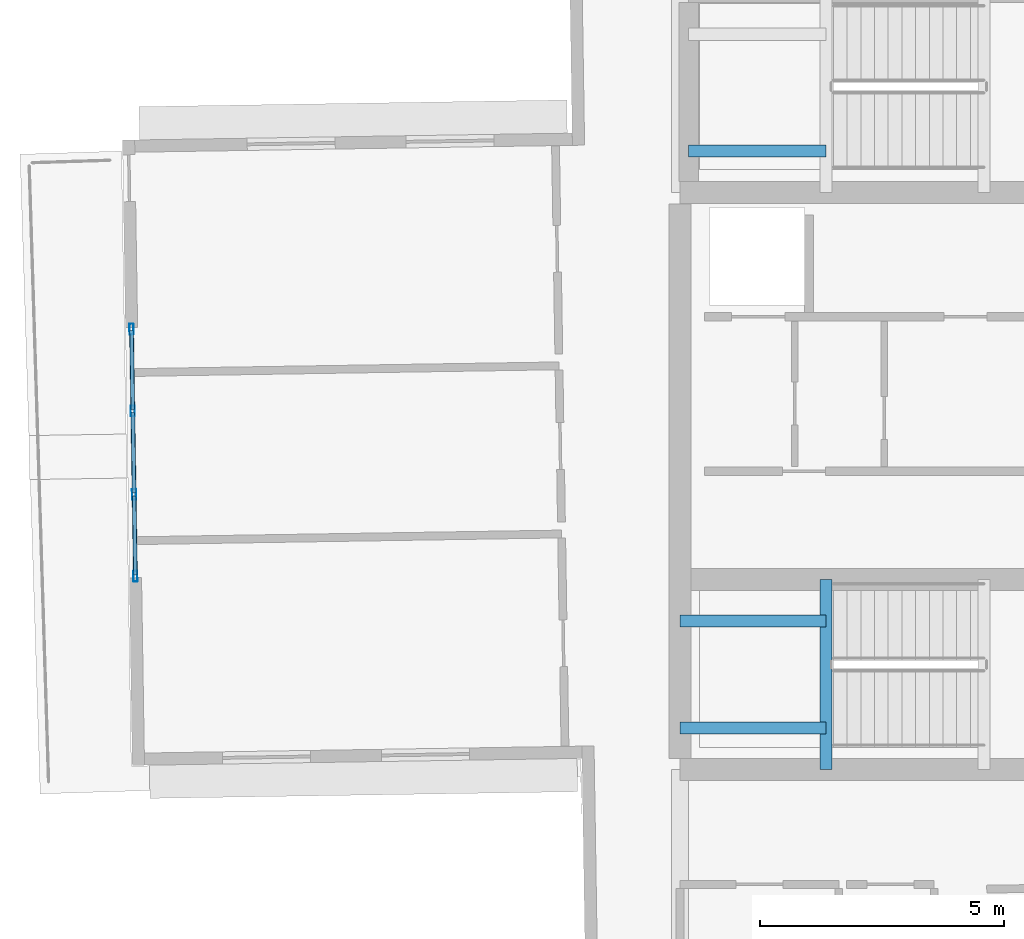
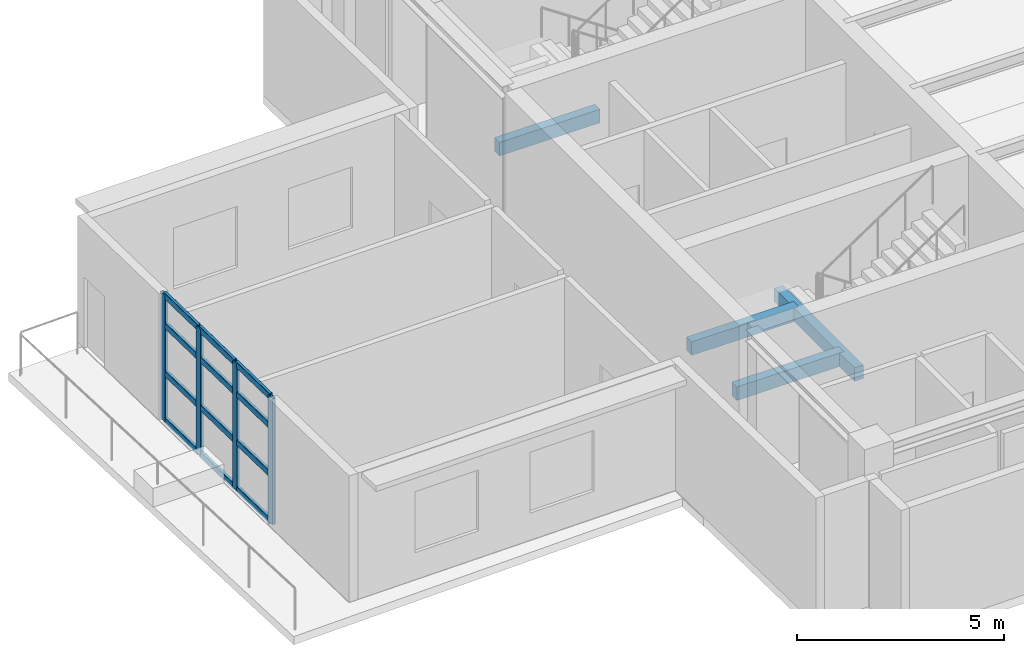
# One storey, part 4 of 18: 16 members, 4 beams, 1 element without a shape of its own.
"""IFC4 building model written with IfcOpenShell, lengths in metres."""

from ifc_helpers import new_model, si_unit, direction, frame, origin, origin_2d, place, context, subcontext, project, spatial, rectangle, hollow_rectangle, extrude, material, layer, layer_set, material_profile, profile_set, type_object, element, aggregate, save


model = new_model("IFC4")

# Units and contexts
model_context = context("Model", 3, precision=1e-05, world=origin(), true_north=direction((0.0, 1.0)))
body_context = subcontext(model_context, "Body", "Model", "MODEL_VIEW")
ifc_project = project(units=[si_unit("LENGTHUNIT", "METRE"), si_unit("AREAUNIT", "SQUARE_METRE"), si_unit("VOLUMEUNIT", "CUBIC_METRE"), si_unit("PLANEANGLEUNIT", "RADIAN"), si_unit("MASSUNIT", "GRAM", prefix="KILO")], contexts=[model_context])

# Site, building, storey
site_placement = place(None, origin())
site = spatial("IfcSite", under=ifc_project, at=site_placement, CompositionType="ELEMENT")
building_placement = place(site_placement, origin())
building = spatial("IfcBuilding", under=site, at=building_placement, Name="Qingluan Cross Belvedere", CompositionType="ELEMENT")
storey_placement = place(building_placement, frame((0.0, 0.0, 303.89990234375)))
storey = spatial("IfcBuildingStorey", under=building, at=storey_placement, Name="L75", CompositionType="ELEMENT", Elevation=303.89990234375)

# Curtain wall, members
ifc_material_1 = material(Name="Thermally broken aluminium and Low-E glass", Category="aluminium")
ifc_layer = layer(ifc_material_1, 0.199951171875, Name="ObservationCW_SkyRestaurant")
ifc_layer_set = layer_set([ifc_layer], Name="Thermally broken aluminium and Low-E glass")
curtain_wall_type = type_object("IfcCurtainWallType", Name="ObservationCW_SkyRestaurant", PredefinedType="USERDEFINED", material=ifc_layer_set)
curtain_wall_placement = place(storey_placement, origin())
curtain_wall = element("IfcCurtainWall", 1, at=curtain_wall_placement, inside=storey, type_object=curtain_wall_type, Name="ObservationCW_SkyRestaurant run env:cw:L75:W", ObjectType="OBSERVATION GLAZING WALL", PredefinedType="USERDEFINED")
ifc_material_2 = material(Name="Aluminium alloy 6063-T6", Category="aluminium")
ifc_material_profile_1 = material_profile(ifc_material_2, hollow_rectangle(XDim=0.0849609375, YDim=0.219970703125, WallThickness=0.0048828125, InnerFilletRadius=0.0048828125, OuterFilletRadius=0.010009765625, at=origin_2d()), Name="CWM220x85x5")
ifc_profile_set_1 = profile_set([ifc_material_profile_1], Name="Aluminium alloy 6063-T6")
member_type_1 = type_object("IfcMemberType", Name="CWMullion_220", PredefinedType="MULLION", material=ifc_profile_set_1)
member_1_placement = place(storey_placement, frame((-23.61669921875, 2.1572265625, 0.0), z_axis=(0.0, 0.0, 1.0), x_axis=(0.999876813918, 0.015695763417, 0.0)))
member_1 = element("IfcMember", 2, at=member_1_placement, type_object=member_type_1, Name="CW-C2 mullion 1", PredefinedType="MULLION", context=body_context, shape_type="SweptSolid", body=[
    extrude(hollow_rectangle(XDim=0.0849609375, YDim=0.219970703125, WallThickness=0.0048828125, InnerFilletRadius=0.0048828125, OuterFilletRadius=0.010009765625, at=origin_2d()), origin(), (0.0, 0.0, 1.0), 3.72998046875),
])
member_2_placement = place(storey_placement, frame((-23.59033203125, 0.482177734375, 0.0), z_axis=(0.0, 0.0, 1.0), x_axis=(0.999876813918, 0.015695763417, 0.0)))
member_2 = element("IfcMember", 3, at=member_2_placement, type_object=member_type_1, Name="CW-C2 mullion 2", PredefinedType="MULLION", context=body_context, shape_type="SweptSolid", body=[
    extrude(hollow_rectangle(XDim=0.0849609375, YDim=0.219970703125, WallThickness=0.0048828125, InnerFilletRadius=0.0048828125, OuterFilletRadius=0.010009765625, at=origin_2d()), origin(), (0.0, 0.0, 1.0), 3.72998046875),
])
member_3_placement = place(storey_placement, frame((-23.563720703125, -1.222900390625, 0.0), z_axis=(0.0, 0.0, 1.0), x_axis=(0.999876813918, 0.015695763417, 0.0)))
member_3 = element("IfcMember", 4, at=member_3_placement, type_object=member_type_1, Name="CW-C2 mullion 3", PredefinedType="MULLION", context=body_context, shape_type="SweptSolid", body=[
    extrude(hollow_rectangle(XDim=0.0849609375, YDim=0.219970703125, WallThickness=0.0048828125, InnerFilletRadius=0.0048828125, OuterFilletRadius=0.010009765625, at=origin_2d()), origin(), (0.0, 0.0, 1.0), 3.72998046875),
])
member_4_placement = place(storey_placement, frame((-23.537353515625, -2.898193359375, 0.0), z_axis=(0.0, 0.0, 1.0), x_axis=(0.999876813918, 0.015695763417, 0.0)))
member_4 = element("IfcMember", 5, at=member_4_placement, type_object=member_type_1, Name="CW-C2 mullion 4", PredefinedType="MULLION", context=body_context, shape_type="SweptSolid", body=[
    extrude(hollow_rectangle(XDim=0.0849609375, YDim=0.219970703125, WallThickness=0.0048828125, InnerFilletRadius=0.0048828125, OuterFilletRadius=0.010009765625, at=origin_2d()), origin(), (0.0, 0.0, 1.0), 3.72998046875),
])
ifc_material_3 = material(Name="Aluminium alloy 6063-T6", Category="aluminium")
ifc_material_profile_2 = material_profile(ifc_material_3, hollow_rectangle(XDim=0.0849609375, YDim=0.179931640625, WallThickness=0.00390625, InnerFilletRadius=0.00390625, OuterFilletRadius=0.008056640625, at=origin_2d()), Name="CWT180x85x4")
ifc_profile_set_2 = profile_set([ifc_material_profile_2], Name="Aluminium alloy 6063-T6")
member_type_2 = type_object("IfcMemberType", Name="CWTransom_180", PredefinedType="USERDEFINED", material=ifc_profile_set_2)
member_5_placement = place(storey_placement, frame((-23.6162109375, 2.127197265625, 0.030029296875), z_axis=(0.015719901619, -0.999876434712, 0.0), x_axis=(0.999876434712, 0.015719901619, 0.0)))
member_5 = element("IfcMember", 6, at=member_5_placement, type_object=member_type_2, Name="CW-C2 transom 1.1", ObjectType="TRANSOM", PredefinedType="USERDEFINED", context=body_context, shape_type="SweptSolid", body=[
    extrude(hollow_rectangle(XDim=0.0849609375, YDim=0.179931640625, WallThickness=0.00390625, InnerFilletRadius=0.00390625, OuterFilletRadius=0.008056640625, at=origin_2d()), origin(), (0.0, 0.0, 1.0), 1.615234375),
])
member_6_placement = place(storey_placement, frame((-23.6162109375, 2.127197265625, 1.4169921875), z_axis=(0.015719901619, -0.999876434712, 0.0), x_axis=(0.999876434712, 0.015719901619, 0.0)))
member_6 = element("IfcMember", 7, at=member_6_placement, type_object=member_type_2, Name="CW-C2 transom 1.2", ObjectType="TRANSOM", PredefinedType="USERDEFINED", context=body_context, shape_type="SweptSolid", body=[
    extrude(hollow_rectangle(XDim=0.0849609375, YDim=0.179931640625, WallThickness=0.00390625, InnerFilletRadius=0.00390625, OuterFilletRadius=0.008056640625, at=origin_2d()), origin(), (0.0, 0.0, 1.0), 1.615234375),
])
member_7_placement = place(storey_placement, frame((-23.6162109375, 2.127197265625, 2.835205078125), z_axis=(0.015719901619, -0.999876434712, 0.0), x_axis=(0.999876434712, 0.015719901619, 0.0)))
member_7 = element("IfcMember", 8, at=member_7_placement, type_object=member_type_2, Name="CW-C2 transom 1.3", ObjectType="TRANSOM", PredefinedType="USERDEFINED", context=body_context, shape_type="SweptSolid", body=[
    extrude(hollow_rectangle(XDim=0.0849609375, YDim=0.179931640625, WallThickness=0.00390625, InnerFilletRadius=0.00390625, OuterFilletRadius=0.008056640625, at=origin_2d()), origin(), (0.0, 0.0, 1.0), 1.615234375),
])
member_8_placement = place(storey_placement, frame((-23.6162109375, 2.127197265625, 3.7001953125), z_axis=(0.015719901619, -0.999876434712, 0.0), x_axis=(0.999876434712, 0.015719901619, 0.0)))
member_8 = element("IfcMember", 9, at=member_8_placement, type_object=member_type_2, Name="CW-C2 transom 1.4", ObjectType="TRANSOM", PredefinedType="USERDEFINED", context=body_context, shape_type="SweptSolid", body=[
    extrude(hollow_rectangle(XDim=0.0849609375, YDim=0.179931640625, WallThickness=0.00390625, InnerFilletRadius=0.00390625, OuterFilletRadius=0.008056640625, at=origin_2d()), origin(), (0.0, 0.0, 1.0), 1.615234375),
])
member_9_placement = place(storey_placement, frame((-23.58984375, 0.4521484375, 0.030029296875), z_axis=(0.015581367368, -0.999878603127, 0.0), x_axis=(0.999878603127, 0.015581367368, 0.0)))
member_9 = element("IfcMember", 10, at=member_9_placement, type_object=member_type_2, Name="CW-C2 transom 2.1", ObjectType="TRANSOM", PredefinedType="USERDEFINED", context=body_context, shape_type="SweptSolid", body=[
    extrude(hollow_rectangle(XDim=0.0849609375, YDim=0.179931640625, WallThickness=0.00390625, InnerFilletRadius=0.00390625, OuterFilletRadius=0.008056640625, at=origin_2d()), origin(), (0.0, 0.0, 1.0), 1.645263671875),
])
member_10_placement = place(storey_placement, frame((-23.58984375, 0.4521484375, 1.4169921875), z_axis=(0.015581367368, -0.999878603127, 0.0), x_axis=(0.999878603127, 0.015581367368, 0.0)))
member_10 = element("IfcMember", 11, at=member_10_placement, type_object=member_type_2, Name="CW-C2 transom 2.2", ObjectType="TRANSOM", PredefinedType="USERDEFINED", context=body_context, shape_type="SweptSolid", body=[
    extrude(hollow_rectangle(XDim=0.0849609375, YDim=0.179931640625, WallThickness=0.00390625, InnerFilletRadius=0.00390625, OuterFilletRadius=0.008056640625, at=origin_2d()), origin(), (0.0, 0.0, 1.0), 1.645263671875),
])
member_11_placement = place(storey_placement, frame((-23.58984375, 0.4521484375, 2.835205078125), z_axis=(0.015581367368, -0.999878603127, 0.0), x_axis=(0.999878603127, 0.015581367368, 0.0)))
member_11 = element("IfcMember", 12, at=member_11_placement, type_object=member_type_2, Name="CW-C2 transom 2.3", ObjectType="TRANSOM", PredefinedType="USERDEFINED", context=body_context, shape_type="SweptSolid", body=[
    extrude(hollow_rectangle(XDim=0.0849609375, YDim=0.179931640625, WallThickness=0.00390625, InnerFilletRadius=0.00390625, OuterFilletRadius=0.008056640625, at=origin_2d()), origin(), (0.0, 0.0, 1.0), 1.645263671875),
])
member_12_placement = place(storey_placement, frame((-23.58984375, 0.4521484375, 3.7001953125), z_axis=(0.015581367368, -0.999878603127, 0.0), x_axis=(0.999878603127, 0.015581367368, 0.0)))
member_12 = element("IfcMember", 13, at=member_12_placement, type_object=member_type_2, Name="CW-C2 transom 2.4", ObjectType="TRANSOM", PredefinedType="USERDEFINED", context=body_context, shape_type="SweptSolid", body=[
    extrude(hollow_rectangle(XDim=0.0849609375, YDim=0.179931640625, WallThickness=0.00390625, InnerFilletRadius=0.00390625, OuterFilletRadius=0.008056640625, at=origin_2d()), origin(), (0.0, 0.0, 1.0), 1.645263671875),
])
member_13_placement = place(storey_placement, frame((-23.563232421875, -1.2529296875, 0.030029296875), z_axis=(0.015717526163, -0.999876472056, 0.0), x_axis=(0.999876472056, 0.015717526163, 0.0)))
member_13 = element("IfcMember", 14, at=member_13_placement, type_object=member_type_2, Name="CW-C2 transom 3.1", ObjectType="TRANSOM", PredefinedType="USERDEFINED", context=body_context, shape_type="SweptSolid", body=[
    extrude(hollow_rectangle(XDim=0.0849609375, YDim=0.179931640625, WallThickness=0.00390625, InnerFilletRadius=0.00390625, OuterFilletRadius=0.008056640625, at=origin_2d()), origin(), (0.0, 0.0, 1.0), 1.615478515625),
])
member_14_placement = place(storey_placement, frame((-23.563232421875, -1.2529296875, 1.4169921875), z_axis=(0.015717526163, -0.999876472056, 0.0), x_axis=(0.999876472056, 0.015717526163, 0.0)))
member_14 = element("IfcMember", 15, at=member_14_placement, type_object=member_type_2, Name="CW-C2 transom 3.2", ObjectType="TRANSOM", PredefinedType="USERDEFINED", context=body_context, shape_type="SweptSolid", body=[
    extrude(hollow_rectangle(XDim=0.0849609375, YDim=0.179931640625, WallThickness=0.00390625, InnerFilletRadius=0.00390625, OuterFilletRadius=0.008056640625, at=origin_2d()), origin(), (0.0, 0.0, 1.0), 1.615478515625),
])
member_15_placement = place(storey_placement, frame((-23.563232421875, -1.2529296875, 2.835205078125), z_axis=(0.015717526163, -0.999876472056, 0.0), x_axis=(0.999876472056, 0.015717526163, 0.0)))
member_15 = element("IfcMember", 16, at=member_15_placement, type_object=member_type_2, Name="CW-C2 transom 3.3", ObjectType="TRANSOM", PredefinedType="USERDEFINED", context=body_context, shape_type="SweptSolid", body=[
    extrude(hollow_rectangle(XDim=0.0849609375, YDim=0.179931640625, WallThickness=0.00390625, InnerFilletRadius=0.00390625, OuterFilletRadius=0.008056640625, at=origin_2d()), origin(), (0.0, 0.0, 1.0), 1.615478515625),
])
member_16_placement = place(storey_placement, frame((-23.563232421875, -1.2529296875, 3.7001953125), z_axis=(0.015717526163, -0.999876472056, 0.0), x_axis=(0.999876472056, 0.015717526163, 0.0)))
member_16 = element("IfcMember", 17, at=member_16_placement, type_object=member_type_2, Name="CW-C2 transom 3.4", ObjectType="TRANSOM", PredefinedType="USERDEFINED", context=body_context, shape_type="SweptSolid", body=[
    extrude(hollow_rectangle(XDim=0.0849609375, YDim=0.179931640625, WallThickness=0.00390625, InnerFilletRadius=0.00390625, OuterFilletRadius=0.008056640625, at=origin_2d()), origin(), (0.0, 0.0, 1.0), 1.615478515625),
])
aggregate(curtain_wall, [member_1, member_2, member_3, member_4, member_5, member_6, member_7, member_8, member_9, member_10, member_11, member_12, member_13, member_14, member_15, member_16])

# Beams
ifc_material_4 = material(Name="Concrete C45", Category="concrete")
ifc_material_profile_3 = material_profile(ifc_material_4, rectangle(XDim=0.25, YDim=0.39990234375, at=origin_2d()), Name="RC250x400")
ifc_profile_set_3 = profile_set([ifc_material_profile_3], Name="Concrete C45")
beam_type = type_object("IfcBeamType", Name="RC_Lintel_RC250x400", PredefinedType="LINTEL", material=ifc_profile_set_3)
beam_1_placement = place(storey_placement, frame((-9.409912109375, -6.85009765625, 1.85009765625), z_axis=(0.0, 1.0, 0.0), x_axis=(-1.0, 0.0, 0.0)))
element("IfcBeam", 18, at=beam_1_placement, inside=storey, type_object=beam_type, Name="Stair ST1 beam A L75", PredefinedType="LINTEL", context=body_context, shape_type="SweptSolid", body=[
    extrude(rectangle(XDim=0.25, YDim=0.39990234375, at=origin_2d()), origin(), (0.0, 0.0, 1.0), 3.89013671875),
])
for number, where, z_axis, x_axis, name in (
    (19, (-12.39990234375, -6.0, 1.85009765625), (1.0, 0.0, 0.0), (0.0, 1.0, 0.0), "Stair ST1 beam B L75"),
    (20, (-12.39990234375, -3.81005859375, 1.85009765625), (1.0, 0.0, 0.0), (0.0, 1.0, 0.0), "Stair ST1 beam C L75"),
):
    element("IfcBeam", number, at=place(storey_placement, frame(where, z_axis=z_axis, x_axis=x_axis)), inside=storey, type_object=beam_type, Name=name, PredefinedType="LINTEL", context=body_context, shape_type="SweptSolid", body=[
        extrude(rectangle(XDim=0.25, YDim=0.39990234375, at=origin_2d()), origin(), (0.0, 0.0, 1.0), 2.989990234375),
    ])
beam_2_placement = place(storey_placement, frame((-12.219970703125, 5.800048828125, 1.85009765625), z_axis=(1.0, 0.0, 0.0), x_axis=(0.0, 1.0, 0.0)))
element("IfcBeam", 21, at=beam_2_placement, inside=storey, type_object=beam_type, Name="Stair ST3 beam B L75", PredefinedType="LINTEL", context=body_context, shape_type="SweptSolid", body=[
    extrude(rectangle(XDim=0.25, YDim=0.39990234375, at=origin_2d()), origin(), (0.0, 0.0, 1.0), 2.81005859375),
])

save(model, "model.ifc")
